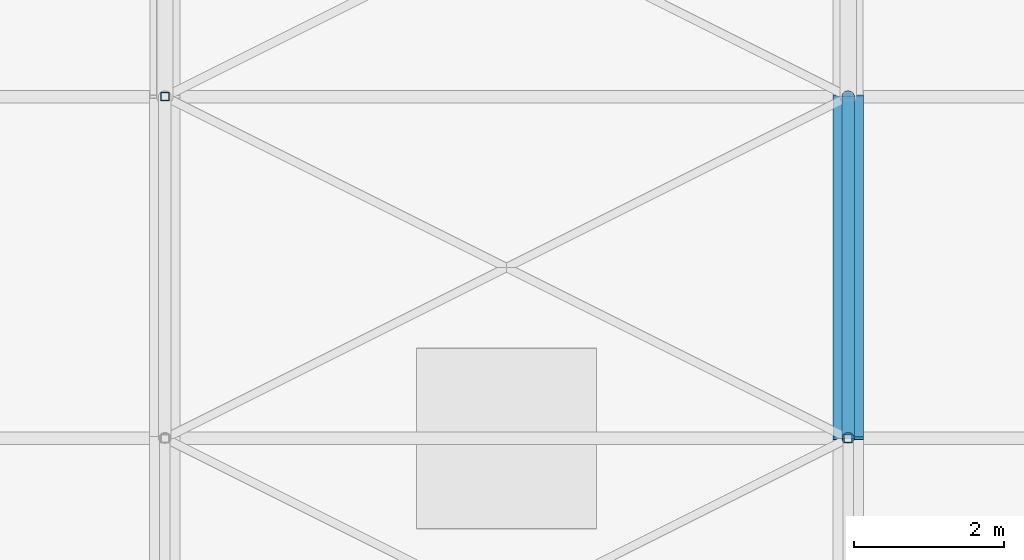
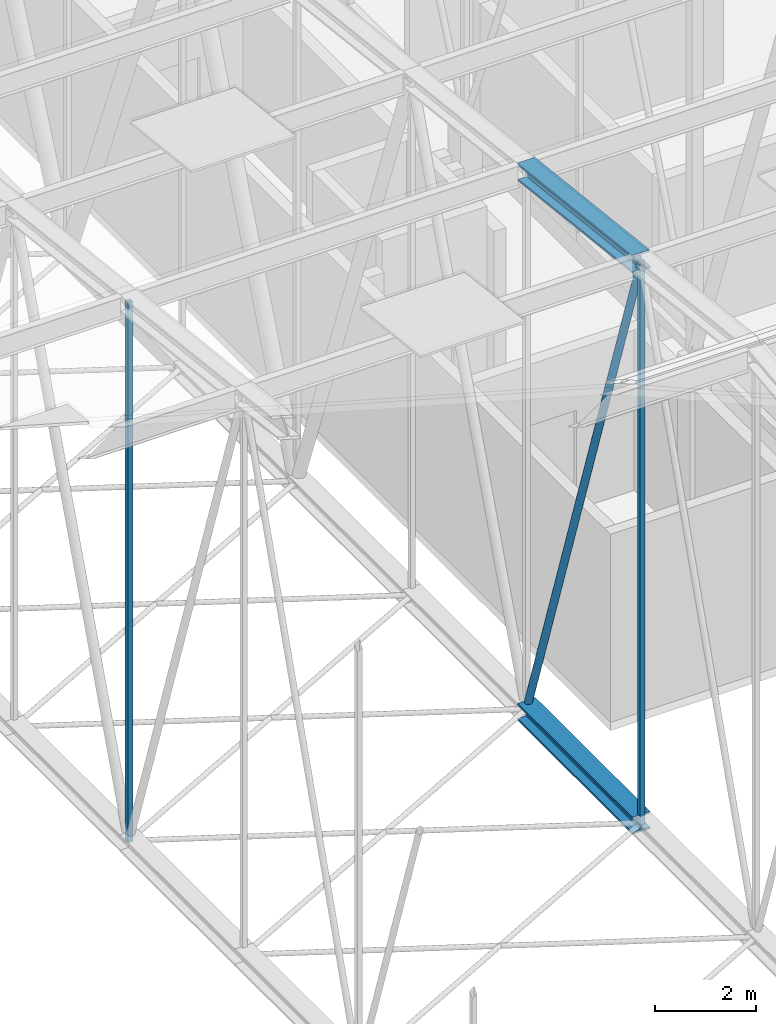
# One storey, part 273 of 500: 5 members.
"""IFC4 building model written with IfcOpenShell, lengths in metres."""

from ifc_helpers import new_model, si_unit, direction, frame, origin, origin_2d, place, context, subcontext, project, spatial, hollow_rectangle, hollow_circle, i_section, extrude, material, material_profile, profile_set, type_object, element, save


model = new_model("IFC4")

# Units and contexts
model_context = context("Model", 3, precision=1e-05, world=origin(), true_north=direction((0.0, 1.0)))
body_context = subcontext(model_context, "Body", "Model", "MODEL_VIEW")
ifc_project = project(units=[si_unit("LENGTHUNIT", "METRE"), si_unit("AREAUNIT", "SQUARE_METRE"), si_unit("VOLUMEUNIT", "CUBIC_METRE"), si_unit("PLANEANGLEUNIT", "RADIAN"), si_unit("MASSUNIT", "GRAM", prefix="KILO")], contexts=[model_context])

# Site, building, storey
site_placement = place(None, origin())
site = spatial("IfcSite", under=ifc_project, at=site_placement, CompositionType="ELEMENT")
building_placement = place(site_placement, origin())
building = spatial("IfcBuilding", under=site, at=building_placement, Name="Shirokan Park Arena", CompositionType="ELEMENT")
storey_placement = place(building_placement, frame((0.0, 0.0, 29.1201171875)))
storey = spatial("IfcBuildingStorey", under=building, at=storey_placement, Name="L06", CompositionType="ELEMENT", Elevation=29.1201171875)

# Members
ifc_material_1 = material(Name="Steel ASTM A992", Category="steel")
ifc_material_profile_1 = material_profile(ifc_material_1, i_section(OverallWidth=0.406005859375, OverallDepth=0.4169921875, WebThickness=0.030029296875, FlangeThickness=0.048095703125, at=origin_2d()), Name="W360X382")
ifc_profile_set_1 = profile_set([ifc_material_profile_1], Name="Steel ASTM A992")
member_type_1 = type_object("IfcMemberType", Name="Bottom chord W360X382", PredefinedType="CHORD", material=ifc_profile_set_1)
member_1_placement = place(storey_placement, frame((100.10009765625, 59.14990234375, 4.677001953125), z_axis=(0.0, 1.0, 0.0), x_axis=(-1.0, 0.0, 0.0)))
element("IfcMember", 1, at=member_1_placement, inside=storey, type_object=member_type_1, Name="Truss T12 bottom chord 16", PredefinedType="CHORD", context=body_context, shape_type="SweptSolid", body=[
    extrude(i_section(OverallWidth=0.406005859375, OverallDepth=0.4169921875, WebThickness=0.030029296875, FlangeThickness=0.048095703125, at=origin_2d()), origin(), (0.0, 0.0, 1.0), 4.550048828125),
])
ifc_material_profile_2 = material_profile(ifc_material_1, i_section(OverallWidth=0.406005859375, OverallDepth=0.4169921875, WebThickness=0.030029296875, FlangeThickness=0.048095703125, at=origin_2d()), Name="W360X382")
ifc_profile_set_2 = profile_set([ifc_material_profile_2], Name="Steel ASTM A992")
member_type_2 = type_object("IfcMemberType", Name="Top chord W360X382", PredefinedType="CHORD", material=ifc_profile_set_2)
member_2_placement = place(storey_placement, frame((100.10009765625, 59.14990234375, 18.261474609375), z_axis=(0.0, 0.993532328996, -0.113549598152), x_axis=(-1.0, 0.0, 0.0)))
element("IfcMember", 2, at=member_2_placement, inside=storey, type_object=member_type_2, Name="Truss T12 top chord 16", PredefinedType="CHORD", context=body_context, shape_type="SweptSolid", body=[
    extrude(i_section(OverallWidth=0.406005859375, OverallDepth=0.4169921875, WebThickness=0.030029296875, FlangeThickness=0.048095703125, at=origin_2d()), origin(), (0.0, 0.0, 1.0), 4.57958984375),
])
ifc_material_2 = material(Name="Steel ASTM A500 Grade C", Category="steel")
ifc_material_profile_3 = material_profile(ifc_material_2, hollow_circle(Radius=0.083984375, WallThickness=0.009521484375, at=origin_2d()), Name="HSS168.3X9.5")
ifc_profile_set_3 = profile_set([ifc_material_profile_3], Name="Steel ASTM A500 Grade C")
member_type_3 = type_object("IfcMemberType", Name="Truss diagonal HSS168.3X9.5", PredefinedType="BRACE", material=ifc_profile_set_3)
member_3_placement = place(storey_placement, frame((100.10009765625, 59.14990234375, 18.261474609375), z_axis=(0.0, 0.317602683872, -0.948223884532), x_axis=(-1.0, 0.0, 0.0)))
element("IfcMember", 3, at=member_3_placement, inside=storey, type_object=member_type_3, Name="Truss T12 diagonal 16", PredefinedType="BRACE", context=body_context, shape_type="SweptSolid", body=[
    extrude(hollow_circle(Radius=0.083984375, WallThickness=0.009521484375, at=origin_2d()), origin(), (0.0, 0.0, 1.0), 14.326171875),
])
ifc_material_profile_4 = material_profile(ifc_material_2, hollow_rectangle(XDim=0.114013671875, YDim=0.114013671875, WallThickness=0.00634765625, at=origin_2d()), Name="HSS114.3X114.3X6.4")
ifc_profile_set_4 = profile_set([ifc_material_profile_4], Name="Steel ASTM A500 Grade C")
member_type_4 = type_object("IfcMemberType", Name="Truss post HSS114.3X114.3X6.4", PredefinedType="POST", material=ifc_profile_set_4)
member_4_placement = place(storey_placement, frame((91.0, 63.699951171875, 4.677001953125), z_axis=(0.0, 0.0, 1.0), x_axis=(1.0, 0.0, 0.0)))
element("IfcMember", 4, at=member_4_placement, inside=storey, type_object=member_type_4, Name="Truss T11 post 17", PredefinedType="POST", context=body_context, shape_type="SweptSolid", body=[
    extrude(hollow_rectangle(XDim=0.114013671875, YDim=0.114013671875, WallThickness=0.00634765625, at=origin_2d()), origin(), (0.0, 0.0, 1.0), 13.064453125),
])
member_5_placement = place(storey_placement, frame((100.10009765625, 59.14990234375, 4.677001953125), z_axis=(0.0, 0.0, 1.0), x_axis=(1.0, 0.0, 0.0)))
element("IfcMember", 5, at=member_5_placement, inside=storey, type_object=member_type_4, Name="Truss T12 post 16", PredefinedType="POST", context=body_context, shape_type="SweptSolid", body=[
    extrude(hollow_rectangle(XDim=0.114013671875, YDim=0.114013671875, WallThickness=0.00634765625, at=origin_2d()), origin(), (0.0, 0.0, 1.0), 13.58447265625),
])

save(model, "model.ifc")
